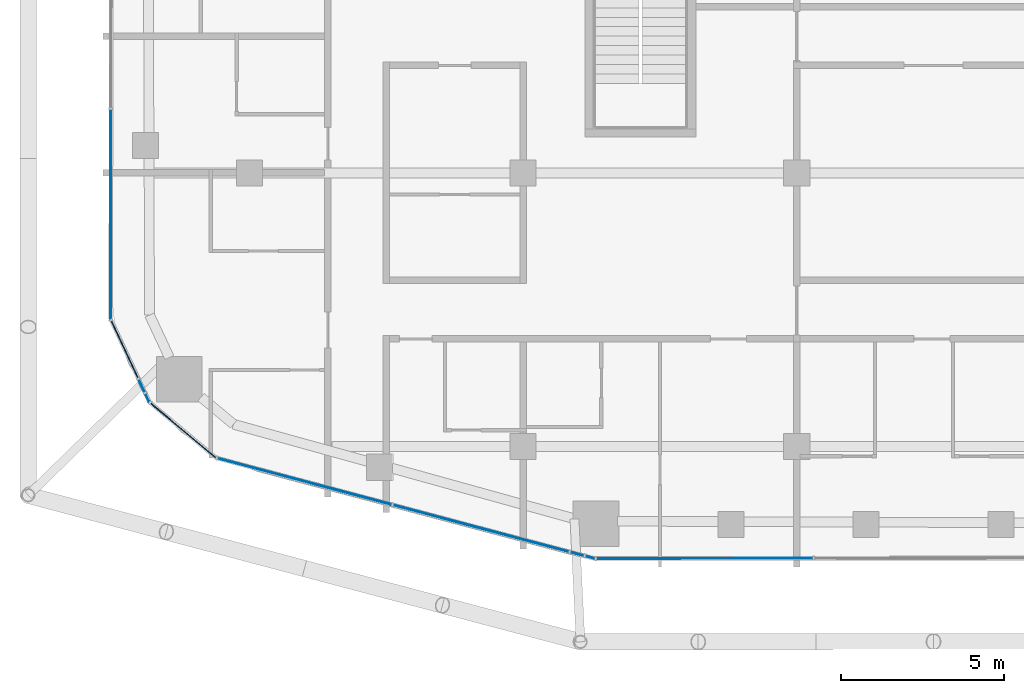
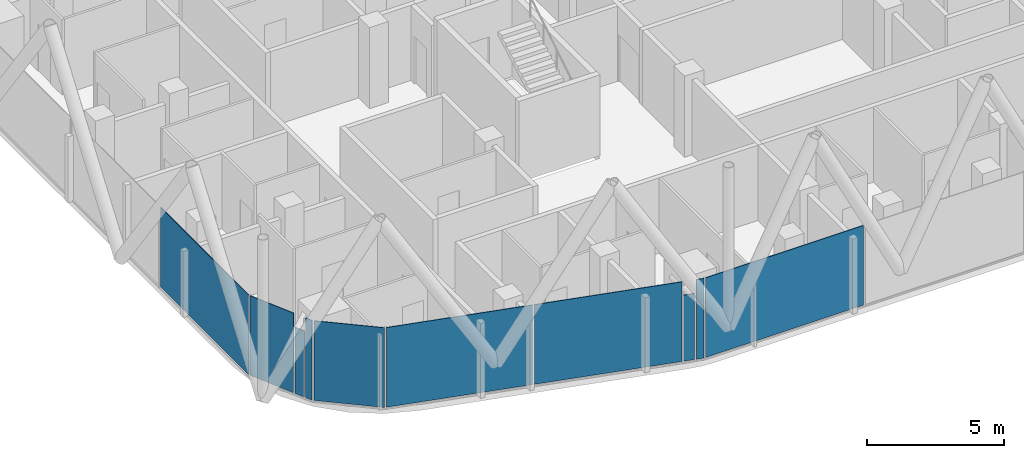
# One storey, part 14 of 28: 10 plates, 9 elements without a shape of their own.
"""IFC4 building model written with IfcOpenShell, lengths in metres."""

from ifc_helpers import new_model, si_unit, direction, frame, origin, origin_2d, place, context, subcontext, project, spatial, rectangle, extrude, material, layer, layer_set, type_object, element, aggregate, save


model = new_model("IFC4")

# Units and contexts
model_context = context("Model", 3, precision=1e-05, world=origin(), true_north=direction((0.0, 1.0)))
body_context = subcontext(model_context, "Body", "Model", "MODEL_VIEW")
ifc_project = project(units=[si_unit("LENGTHUNIT", "METRE"), si_unit("AREAUNIT", "SQUARE_METRE"), si_unit("VOLUMEUNIT", "CUBIC_METRE"), si_unit("PLANEANGLEUNIT", "RADIAN"), si_unit("MASSUNIT", "GRAM", prefix="KILO")], contexts=[model_context])

# Site, building, storey
site_placement = place(None, origin())
site = spatial("IfcSite", under=ifc_project, at=site_placement, CompositionType="ELEMENT")
building_placement = place(site_placement, origin())
building = spatial("IfcBuilding", under=site, at=building_placement, Name="Marenta Gate Hotel Tower", CompositionType="ELEMENT")
storey_placement = place(building_placement, frame((0.0, 0.0, 198.5)))
storey = spatial("IfcBuildingStorey", under=building, at=storey_placement, Name="L45", CompositionType="ELEMENT", Elevation=198.5)

# Curtain wall, plate
ifc_material_1 = material(Name="Tinted insulated glass in bronze anodised frame", Category="glass")
ifc_layer_1 = layer(ifc_material_1, 0.1201171875)
ifc_layer_set_1 = layer_set([ifc_layer_1], Name="Tinted insulated glass in bronze anodised frame")
curtain_wall_type = type_object("IfcCurtainWallType", Name="Tower unitised curtain wall CW1", PredefinedType="NOTDEFINED", material=ifc_layer_set_1)
curtain_wall_1_placement = place(storey_placement, origin())
curtain_wall_1 = element("IfcCurtainWall", 1, at=curtain_wall_1_placement, inside=storey, type_object=curtain_wall_type, Name="CW1 run G04", PredefinedType="NOTDEFINED")
ifc_material_2 = material(Name="Tinted insulated glass", Category="glass")
ifc_layer_2 = layer(ifc_material_2, 0.028076171875)
ifc_layer_set_2 = layer_set([ifc_layer_2], Name="Tinted insulated glass")
plate_type = type_object("IfcPlateType", Name="Glass panel CW1 28 mm tinted insulated unit", PredefinedType="CURTAIN_PANEL", material=ifc_layer_set_2)
plate_1_placement = place(storey_placement, frame((-25.26806640625, -18.078857421875, 0.06005859375), z_axis=(0.0, 0.0, 1.0), x_axis=(-0.001566045546, -0.99999877375, 0.0)))
plate_1 = element("IfcPlate", 2, at=plate_1_placement, type_object=plate_type, Name="CW1 panel 6.1", PredefinedType="CURTAIN_PANEL", context=body_context, shape_type="SweptSolid", body=[
    extrude(rectangle(XDim=6.429931640625, YDim=0.028076171875, at=origin_2d()), origin(), (0.0, 0.0, 1.0), 3.5400390625),
])
aggregate(curtain_wall_1, [plate_1])

curtain_wall_2_placement = place(storey_placement, origin())
curtain_wall_2 = element("IfcCurtainWall", 3, at=curtain_wall_2_placement, inside=storey, type_object=curtain_wall_type, Name="CW1 run G05", PredefinedType="NOTDEFINED")
plate_2_placement = place(storey_placement, frame((-24.839599609375, -22.221435546875, 0.06005859375), z_axis=(0.0, 0.0, 1.0), x_axis=(0.423331565466, -0.905974826185, 0.0)))
plate_2 = element("IfcPlate", 4, at=plate_2_placement, type_object=plate_type, Name="CW1 panel 1.1", PredefinedType="CURTAIN_PANEL", context=body_context, shape_type="SweptSolid", body=[
    extrude(rectangle(XDim=1.927734375, YDim=0.028076171875, at=origin_2d()), origin(), (0.0, 0.0, 1.0), 3.5400390625),
])
aggregate(curtain_wall_2, [plate_2])

curtain_wall_3_placement = place(storey_placement, origin())
curtain_wall_3 = element("IfcCurtainWall", 5, at=curtain_wall_3_placement, inside=storey, type_object=curtain_wall_type, Name="CW1 run G06", PredefinedType="NOTDEFINED")
plate_3_placement = place(storey_placement, frame((-24.317138671875, -23.33935546875, 0.06005859375), z_axis=(0.0, 0.0, 1.0), x_axis=(0.423387289241, -0.905948786251, 0.0)))
plate_3 = element("IfcPlate", 6, at=plate_3_placement, type_object=plate_type, Name="CW1 panel 1.1", PredefinedType="CURTAIN_PANEL", context=body_context, shape_type="SweptSolid", body=[
    extrude(rectangle(XDim=0.419921875, YDim=0.028076171875, at=origin_2d()), origin(), (0.0, 0.0, 1.0), 2.9404296875),
])
aggregate(curtain_wall_3, [plate_3])

curtain_wall_4_placement = place(storey_placement, origin())
curtain_wall_4 = element("IfcCurtainWall", 7, at=curtain_wall_4_placement, inside=storey, type_object=curtain_wall_type, Name="CW1 run G07", PredefinedType="NOTDEFINED")
plate_4_placement = place(storey_placement, frame((-24.142822265625, -23.71240234375, 0.06005859375), z_axis=(0.0, 0.0, 1.0), x_axis=(0.423299800084, -0.905989668401, 0.0)))
plate_4 = element("IfcPlate", 8, at=plate_4_placement, type_object=plate_type, Name="CW1 panel 1.1", PredefinedType="CURTAIN_PANEL", context=body_context, shape_type="SweptSolid", body=[
    extrude(rectangle(XDim=0.283447265625, YDim=0.028076171875, at=origin_2d()), origin(), (0.0, 0.0, 1.0), 3.5400390625),
])
aggregate(curtain_wall_4, [plate_4])

curtain_wall_5_placement = place(storey_placement, origin())
curtain_wall_5 = element("IfcCurtainWall", 9, at=curtain_wall_5_placement, inside=storey, type_object=curtain_wall_type, Name="CW1 run G08", PredefinedType="NOTDEFINED")
plate_5_placement = place(storey_placement, frame((-23.0361328125, -24.716064453125, 0.06005859375), z_axis=(0.0, 0.0, 1.0), x_axis=(0.767102345594, -0.641524739495, 0.0)))
plate_5 = element("IfcPlate", 10, at=plate_5_placement, type_object=plate_type, Name="CW1 panel 1.1", PredefinedType="CURTAIN_PANEL", context=body_context, shape_type="SweptSolid", body=[
    extrude(rectangle(XDim=2.609375, YDim=0.028076171875, at=origin_2d()), origin(), (0.0, 0.0, 1.0), 3.5400390625),
])
aggregate(curtain_wall_5, [plate_5])

# Curtain wall, plates
curtain_wall_6_placement = place(storey_placement, origin())
curtain_wall_6 = element("IfcCurtainWall", 11, at=curtain_wall_6_placement, inside=storey, type_object=curtain_wall_type, Name="CW1 run G09", PredefinedType="NOTDEFINED")
plate_6_placement = place(storey_placement, frame((-19.31298828125, -26.27734375, 0.06005859375), z_axis=(0.0, 0.0, 1.0), x_axis=(0.966376360931, -0.257131734785, 0.0)))
plate_6 = element("IfcPlate", 12, at=plate_6_placement, type_object=plate_type, Name="CW1 panel 1.1", PredefinedType="CURTAIN_PANEL", context=body_context, shape_type="SweptSolid", body=[
    extrude(rectangle(XDim=5.51416015625, YDim=0.028076171875, at=origin_2d()), origin(), (0.0, 0.0, 1.0), 3.5400390625),
])
plate_7_placement = place(storey_placement, frame((-13.897216796875, -27.718505859375, 0.06005859375), z_axis=(0.0, 0.0, 1.0), x_axis=(0.966376360931, -0.257131734785, 0.0)))
plate_7 = element("IfcPlate", 13, at=plate_7_placement, type_object=plate_type, Name="CW1 panel 2.1", PredefinedType="CURTAIN_PANEL", context=body_context, shape_type="SweptSolid", body=[
    extrude(rectangle(XDim=5.57421875, YDim=0.028076171875, at=origin_2d()), origin(), (0.0, 0.0, 1.0), 3.5400390625),
])
aggregate(curtain_wall_6, [plate_6, plate_7])

# Curtain wall, plate
curtain_wall_7_placement = place(storey_placement, origin())
curtain_wall_7 = element("IfcCurtainWall", 14, at=curtain_wall_7_placement, inside=storey, type_object=curtain_wall_type, Name="CW1 run G10", PredefinedType="NOTDEFINED")
plate_8_placement = place(storey_placement, frame((-10.945068359375, -28.50390625, 0.06005859375), z_axis=(0.0, 0.0, 1.0), x_axis=(0.966384808868, -0.257099982864, 0.0)))
plate_8 = element("IfcPlate", 15, at=plate_8_placement, type_object=plate_type, Name="CW1 panel 1.1", PredefinedType="CURTAIN_PANEL", context=body_context, shape_type="SweptSolid", body=[
    extrude(rectangle(XDim=0.415771484375, YDim=0.028076171875, at=origin_2d()), origin(), (0.0, 0.0, 1.0), 2.9404296875),
])
aggregate(curtain_wall_7, [plate_8])

curtain_wall_8_placement = place(storey_placement, origin())
curtain_wall_8 = element("IfcCurtainWall", 16, at=curtain_wall_8_placement, inside=storey, type_object=curtain_wall_type, Name="CW1 run G11", PredefinedType="NOTDEFINED")
plate_9_placement = place(storey_placement, frame((-10.546142578125, -28.610107421875, 0.06005859375), z_axis=(0.0, 0.0, 1.0), x_axis=(0.966296560535, -0.257431460974, 0.0)))
plate_9 = element("IfcPlate", 17, at=plate_9_placement, type_object=plate_type, Name="CW1 panel 1.1", PredefinedType="CURTAIN_PANEL", context=body_context, shape_type="SweptSolid", body=[
    extrude(rectangle(XDim=0.2900390625, YDim=0.028076171875, at=origin_2d()), origin(), (0.0, 0.0, 1.0), 3.5400390625),
])
aggregate(curtain_wall_8, [plate_9])

curtain_wall_9_placement = place(storey_placement, origin())
curtain_wall_9 = element("IfcCurtainWall", 18, at=curtain_wall_9_placement, inside=storey, type_object=curtain_wall_type, Name="CW1 run G12", PredefinedType="NOTDEFINED")
plate_10_placement = place(storey_placement, frame((-7.024169921875, -28.641845703125, 0.06005859375), z_axis=(0.0, 0.0, 1.0), x_axis=(0.999998649471, 0.001643488917, 0.0)))
plate_10 = element("IfcPlate", 19, at=plate_10_placement, type_object=plate_type, Name="CW1 panel 1.1", PredefinedType="CURTAIN_PANEL", context=body_context, shape_type="SweptSolid", body=[
    extrude(rectangle(XDim=6.6435546875, YDim=0.028076171875, at=origin_2d()), origin(), (0.0, 0.0, 1.0), 3.5400390625),
])
aggregate(curtain_wall_9, [plate_10])

save(model, "model.ifc")
